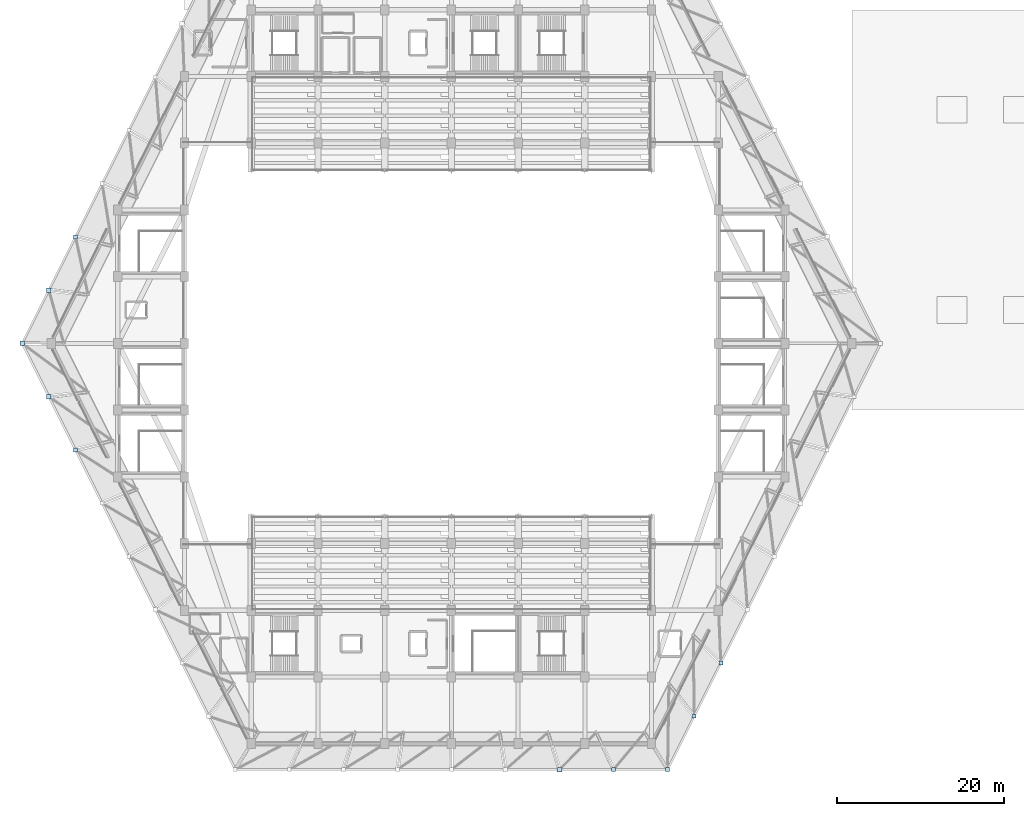
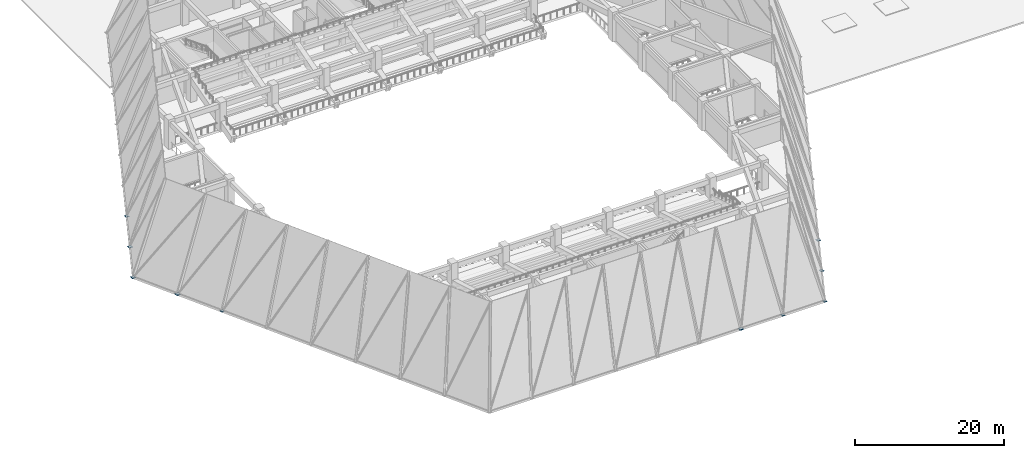
# One storey, part 9 of 24: 10 plates.
"""IFC4 building model written with IfcOpenShell, lengths in metres."""

from ifc_helpers import new_model, si_unit, direction, frame, origin, origin_2d, place, context, subcontext, project, spatial, rectangle, extrude, material, layer, layer_set, type_object, element, save


model = new_model("IFC4")

# Units and contexts
model_context = context("Model", 3, precision=1e-05, world=origin(), true_north=direction((0.0, 1.0)))
body_context = subcontext(model_context, "Body", "Model", "MODEL_VIEW")
ifc_project = project(units=[si_unit("LENGTHUNIT", "METRE"), si_unit("AREAUNIT", "SQUARE_METRE"), si_unit("VOLUMEUNIT", "CUBIC_METRE"), si_unit("PLANEANGLEUNIT", "RADIAN"), si_unit("MASSUNIT", "GRAM", prefix="KILO")], contexts=[model_context])

# Site, building, storey
site_placement = place(None, origin())
site = spatial("IfcSite", under=ifc_project, at=site_placement, CompositionType="ELEMENT")
building_placement = place(site_placement, origin())
building = spatial("IfcBuilding", under=site, at=building_placement, Name="Tazarka Park Arena", CompositionType="ELEMENT")
storey_placement = place(building_placement, frame((0.0, 0.0, 15.0)))
storey = spatial("IfcBuildingStorey", under=building, at=storey_placement, Name="L03", CompositionType="ELEMENT", Elevation=15.0)

# Plates
ifc_material_1 = material(Name="Steel S460", Category="steel")
ifc_layer_1 = layer(ifc_material_1, 0.028076171875, Name="Steel S460")
ifc_layer_set_1 = layer_set([ifc_layer_1], Name="Steel S460")
plate_type_1 = type_object("IfcPlateType", Name="PLT-PL-13", PredefinedType="USERDEFINED", material=ifc_layer_set_1)
for number, where, z_axis, x_axis, name in (
    (1, (107.43701171875, 12.89990234375, -0.01416015625), (0.0, 0.0, 1.0), (1.0, 0.0, 0.0), "GMP-W-07"),
    (2, (42.921630859375, 51.22509765625, -0.01416015625), (0.0, 0.0, 1.0), (1.0, 0.0, 0.0), "GMP-W-42"),
):
    element("IfcPlate", number, at=place(storey_placement, frame(where, z_axis=z_axis, x_axis=x_axis)), inside=storey, type_object=plate_type_1, Name=name, ObjectType="STIFFENER", PredefinedType="USERDEFINED", context=body_context, shape_type="SweptSolid", body=[
        extrude(rectangle(XDim=0.43994140625, YDim=0.43994140625, at=origin_2d()), origin(), (0.0, 0.0, 1.0), 0.028076171875),
    ])
ifc_material_2 = material(Name="Steel S460", Category="steel")
ifc_layer_2 = layer(ifc_material_2, 0.029052734375, Name="Steel S460")
ifc_layer_set_2 = layer_set([ifc_layer_2], Name="Steel S460")
plate_type_2 = type_object("IfcPlateType", Name="PLT-PL-16", PredefinedType="USERDEFINED", material=ifc_layer_set_2)
plate_1_placement = place(storey_placement, frame((113.916015625, 12.89990234375, -0.0146484375), z_axis=(0.0, 0.0, 1.0), x_axis=(1.0, 0.0, 0.0)))
element("IfcPlate", 3, at=plate_1_placement, inside=storey, type_object=plate_type_2, Name="GMP-W-08", ObjectType="STIFFENER", PredefinedType="USERDEFINED", context=body_context, shape_type="SweptSolid", body=[
    extrude(rectangle(XDim=0.449951171875, YDim=0.449951171875, at=origin_2d()), origin(), (0.0, 0.0, 1.0), 0.029052734375),
])
ifc_material_3 = material(Name="Steel S460", Category="steel")
ifc_layer_3 = layer(ifc_material_3, 0.031005859375, Name="Steel S460")
ifc_layer_set_3 = layer_set([ifc_layer_3], Name="Steel S460")
plate_type_3 = type_object("IfcPlateType", Name="PLT-PL-17", PredefinedType="USERDEFINED", material=ifc_layer_set_3)
plate_2_placement = place(storey_placement, frame((117.109619140625, 19.28759765625, -0.015625), z_axis=(0.0, 0.0, 1.0), x_axis=(1.0, 0.0, 0.0)))
element("IfcPlate", 4, at=plate_2_placement, inside=storey, type_object=plate_type_3, Name="GMP-W-09", ObjectType="STIFFENER", PredefinedType="USERDEFINED", context=body_context, shape_type="SweptSolid", body=[
    extrude(rectangle(XDim=0.469970703125, YDim=0.469970703125, at=origin_2d()), origin(), (0.0, 0.0, 1.0), 0.031005859375),
])
ifc_material_4 = material(Name="Steel S460", Category="steel")
ifc_layer_4 = layer(ifc_material_4, 0.032958984375, Name="Steel S460")
ifc_layer_set_4 = layer_set([ifc_layer_4], Name="Steel S460")
plate_type_4 = type_object("IfcPlateType", Name="PLT-PL-18", PredefinedType="USERDEFINED", material=ifc_layer_set_4)
for number, where, z_axis, x_axis, name in (
    (5, (120.303466796875, 25.675048828125, -0.0166015625), (0.0, 0.0, 1.0), (1.0, 0.0, 0.0), "GMP-W-10"),
    (6, (42.921630859375, 76.77490234375, -0.0166015625), (0.0, 0.0, 1.0), (1.0, 0.0, 0.0), "GMP-W-38"),
):
    element("IfcPlate", number, at=place(storey_placement, frame(where, z_axis=z_axis, x_axis=x_axis)), inside=storey, type_object=plate_type_4, Name=name, ObjectType="STIFFENER", PredefinedType="USERDEFINED", context=body_context, shape_type="SweptSolid", body=[
        extrude(rectangle(XDim=0.489990234375, YDim=0.489990234375, at=origin_2d()), origin(), (0.0, 0.0, 1.0), 0.032958984375),
    ])
ifc_material_5 = material(Name="Steel S460", Category="steel")
ifc_layer_5 = layer(ifc_material_5, 0.034912109375, Name="Steel S460")
ifc_layer_set_5 = layer_set([ifc_layer_5], Name="Steel S460")
plate_type_5 = type_object("IfcPlateType", Name="PLT-PL-19", PredefinedType="USERDEFINED", material=ifc_layer_set_5)
plate_3_placement = place(storey_placement, frame((39.727783203125, 70.387451171875, -0.017578125), z_axis=(0.0, 0.0, 1.0), x_axis=(1.0, 0.0, 0.0)))
element("IfcPlate", 7, at=plate_3_placement, inside=storey, type_object=plate_type_5, Name="GMP-W-39", ObjectType="STIFFENER", PredefinedType="USERDEFINED", context=body_context, shape_type="SweptSolid", body=[
    extrude(rectangle(XDim=0.510009765625, YDim=0.510009765625, at=origin_2d()), origin(), (0.0, 0.0, 1.0), 0.034912109375),
])
ifc_material_6 = material(Name="Steel S460", Category="steel")
ifc_layer_6 = layer(ifc_material_6, 0.037109375, Name="Steel S460")
ifc_layer_set_6 = layer_set([ifc_layer_6], Name="Steel S460")
plate_type_6 = type_object("IfcPlateType", Name="PLT-PL-20", PredefinedType="USERDEFINED", material=ifc_layer_set_6)
plate_4_placement = place(storey_placement, frame((36.5341796875, 64.0, -0.0185546875), z_axis=(0.0, 0.0, 1.0), x_axis=(1.0, 0.0, 0.0)))
element("IfcPlate", 8, at=plate_4_placement, inside=storey, type_object=plate_type_6, Name="GMP-W-40", ObjectType="STIFFENER", PredefinedType="USERDEFINED", context=body_context, shape_type="SweptSolid", body=[
    extrude(rectangle(XDim=0.530029296875, YDim=0.530029296875, at=origin_2d()), origin(), (0.0, 0.0, 1.0), 0.037109375),
])
ifc_material_7 = material(Name="Steel S460", Category="steel")
ifc_layer_7 = layer(ifc_material_7, 0.0390625, Name="Steel S460")
ifc_layer_set_7 = layer_set([ifc_layer_7], Name="Steel S460")
plate_type_7 = type_object("IfcPlateType", Name="PLT-PL-21", PredefinedType="USERDEFINED", material=ifc_layer_set_7)
for number, where, z_axis, x_axis, name in (
    (9, (100.9580078125, 12.89990234375, -0.01953125), (0.0, 0.0, 1.0), (1.0, 0.0, 0.0), "GMP-W-06"),
    (10, (39.727783203125, 57.612548828125, -0.01953125), (0.0, 0.0, 1.0), (1.0, 0.0, 0.0), "GMP-W-41"),
):
    element("IfcPlate", number, at=place(storey_placement, frame(where, z_axis=z_axis, x_axis=x_axis)), inside=storey, type_object=plate_type_7, Name=name, ObjectType="STIFFENER", PredefinedType="USERDEFINED", context=body_context, shape_type="SweptSolid", body=[
        extrude(rectangle(XDim=0.550048828125, YDim=0.550048828125, at=origin_2d()), origin(), (0.0, 0.0, 1.0), 0.0390625),
    ])

save(model, "model.ifc")
